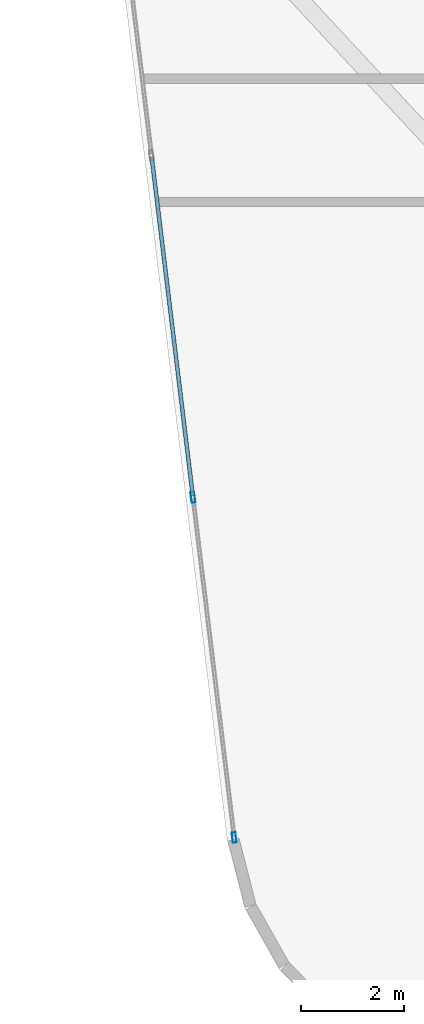
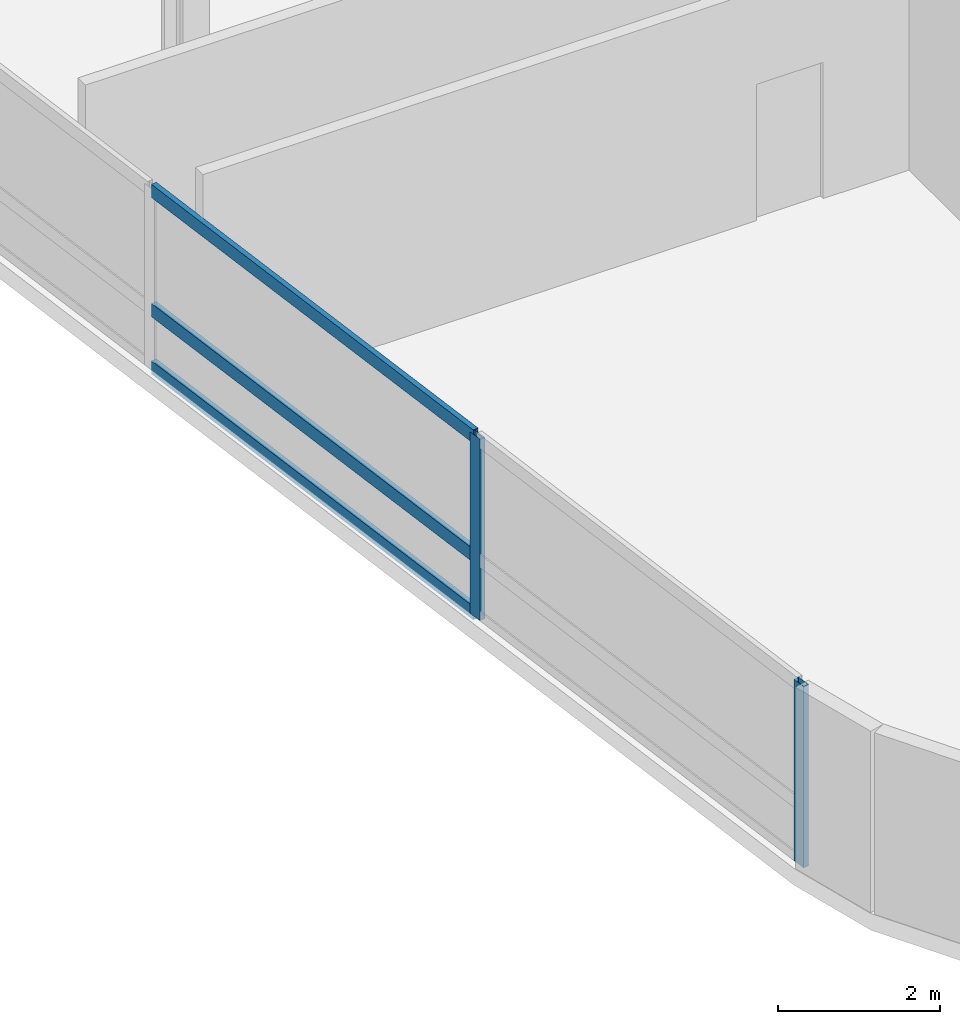
# One storey, part 2 of 23: 5 members, 1 element without a shape of its own.
"""IFC4 building model written with IfcOpenShell, lengths in metres."""

from ifc_helpers import new_model, si_unit, direction, frame, origin, origin_2d, place, context, subcontext, project, spatial, hollow_rectangle, extrude, material, layer, layer_set, material_profile, profile_set, type_object, element, aggregate, save


model = new_model("IFC4")

# Units and contexts
model_context = context("Model", 3, precision=1e-05, world=origin(), true_north=direction((0.0, 1.0)))
body_context = subcontext(model_context, "Body", "Model", "MODEL_VIEW")
ifc_project = project(units=[si_unit("LENGTHUNIT", "METRE"), si_unit("AREAUNIT", "SQUARE_METRE"), si_unit("VOLUMEUNIT", "CUBIC_METRE"), si_unit("PLANEANGLEUNIT", "RADIAN"), si_unit("MASSUNIT", "GRAM", prefix="KILO")], contexts=[model_context])

# Site, building, storey
site_placement = place(None, origin())
site = spatial("IfcSite", under=ifc_project, at=site_placement, CompositionType="ELEMENT")
building_placement = place(site_placement, origin())
building = spatial("IfcBuilding", under=site, at=building_placement, Name="Varnelok Gate Tower", CompositionType="ELEMENT")
storey_placement = place(building_placement, frame((0.0, 0.0, 193.10009765625)))
storey = spatial("IfcBuildingStorey", under=building, at=storey_placement, Name="L49", CompositionType="ELEMENT", Elevation=193.10009765625)

# Curtain wall, members
ifc_material = material(Name="Anodized Aluminum Alloy 6063-T6", Category="aluminium")
ifc_layer = layer(ifc_material, 0.179931640625)
ifc_layer_set = layer_set([ifc_layer], Name="Anodized Aluminum Alloy 6063-T6")
curtain_wall_type = type_object("IfcCurtainWallType", Name="CW4-RESIDENCE-VISION", PredefinedType="USERDEFINED", material=ifc_layer_set)
curtain_wall_placement = place(storey_placement, origin())
curtain_wall = element("IfcCurtainWall", 1, at=curtain_wall_placement, inside=storey, type_object=curtain_wall_type, Name="L49 West End Vision Curtain Wall", ObjectType="UNITISED CURTAIN WALL", PredefinedType="USERDEFINED")
ifc_material_profile_1 = material_profile(ifc_material, hollow_rectangle(XDim=0.074951171875, YDim=0.199951171875, WallThickness=0.00390625, at=origin_2d()), Name="ALU200X75X4")
ifc_profile_set_1 = profile_set([ifc_material_profile_1], Name="Anodized Aluminum Alloy 6063-T6")
member_type_1 = type_object("IfcMemberType", Name="CW-MULL-200", PredefinedType="MULLION", material=ifc_profile_set_1)
member_1_placement = place(storey_placement, frame((6.30078125, 4.52734375, 0.0), z_axis=(0.0, 0.0, 1.0), x_axis=(-0.992732188751, -0.120344511371, 0.0)))
member_1 = element("IfcMember", 2, at=member_1_placement, type_object=member_type_1, Name="CW4 mullion 1", PredefinedType="MULLION", context=body_context, shape_type="SweptSolid", body=[
    extrude(hollow_rectangle(XDim=0.074951171875, YDim=0.199951171875, WallThickness=0.00390625, at=origin_2d()), origin(), (0.0, 0.0, 1.0), 2.72998046875),
])
member_2_placement = place(storey_placement, frame((5.50146484375, 11.12158203125, 0.0), z_axis=(0.0, 0.0, 1.0), x_axis=(-0.992732188751, -0.120344511371, 0.0)))
member_2 = element("IfcMember", 3, at=member_2_placement, type_object=member_type_1, Name="CW4 mullion 2", PredefinedType="MULLION", context=body_context, shape_type="SweptSolid", body=[
    extrude(hollow_rectangle(XDim=0.074951171875, YDim=0.199951171875, WallThickness=0.00390625, at=origin_2d()), origin(), (0.0, 0.0, 1.0), 2.72998046875),
])
ifc_material_profile_2 = material_profile(ifc_material, hollow_rectangle(XDim=0.074951171875, YDim=0.199951171875, WallThickness=0.00390625, at=origin_2d()), Name="ALU200X75X4")
ifc_profile_set_2 = profile_set([ifc_material_profile_2], Name="Anodized Aluminum Alloy 6063-T6")
member_type_2 = type_object("IfcMemberType", Name="CW-TRAN-200", PredefinedType="USERDEFINED", material=ifc_profile_set_2)
member_3_placement = place(storey_placement, frame((5.496826171875, 11.15869140625, 0.037353515625), z_axis=(-0.120349029092, 0.992731641078, 0.0), x_axis=(-0.992731641078, -0.120349029092, 0.0)))
member_3 = element("IfcMember", 4, at=member_3_placement, type_object=member_type_2, Name="CW4 transom 2.1", ObjectType="TRANSOM", PredefinedType="USERDEFINED", context=body_context, shape_type="SweptSolid", body=[
    extrude(hollow_rectangle(XDim=0.074951171875, YDim=0.199951171875, WallThickness=0.00390625, at=origin_2d()), origin(), (0.0, 0.0, 1.0), 6.605224609375),
])
member_4_placement = place(storey_placement, frame((5.496826171875, 11.15869140625, 0.89990234375), z_axis=(-0.120349029092, 0.992731641078, 0.0), x_axis=(-0.992731641078, -0.120349029092, 0.0)))
member_4 = element("IfcMember", 5, at=member_4_placement, type_object=member_type_2, Name="CW4 transom 2.2", ObjectType="TRANSOM", PredefinedType="USERDEFINED", context=body_context, shape_type="SweptSolid", body=[
    extrude(hollow_rectangle(XDim=0.074951171875, YDim=0.199951171875, WallThickness=0.00390625, at=origin_2d()), origin(), (0.0, 0.0, 1.0), 6.605224609375),
])
member_5_placement = place(storey_placement, frame((5.496826171875, 11.15869140625, 2.6923828125), z_axis=(-0.120349029092, 0.992731641078, 0.0), x_axis=(-0.992731641078, -0.120349029092, 0.0)))
member_5 = element("IfcMember", 6, at=member_5_placement, type_object=member_type_2, Name="CW4 transom 2.3", ObjectType="TRANSOM", PredefinedType="USERDEFINED", context=body_context, shape_type="SweptSolid", body=[
    extrude(hollow_rectangle(XDim=0.074951171875, YDim=0.199951171875, WallThickness=0.00390625, at=origin_2d()), origin(), (0.0, 0.0, 1.0), 6.605224609375),
])
aggregate(curtain_wall, [member_1, member_2, member_3, member_4, member_5])

save(model, "model.ifc")
